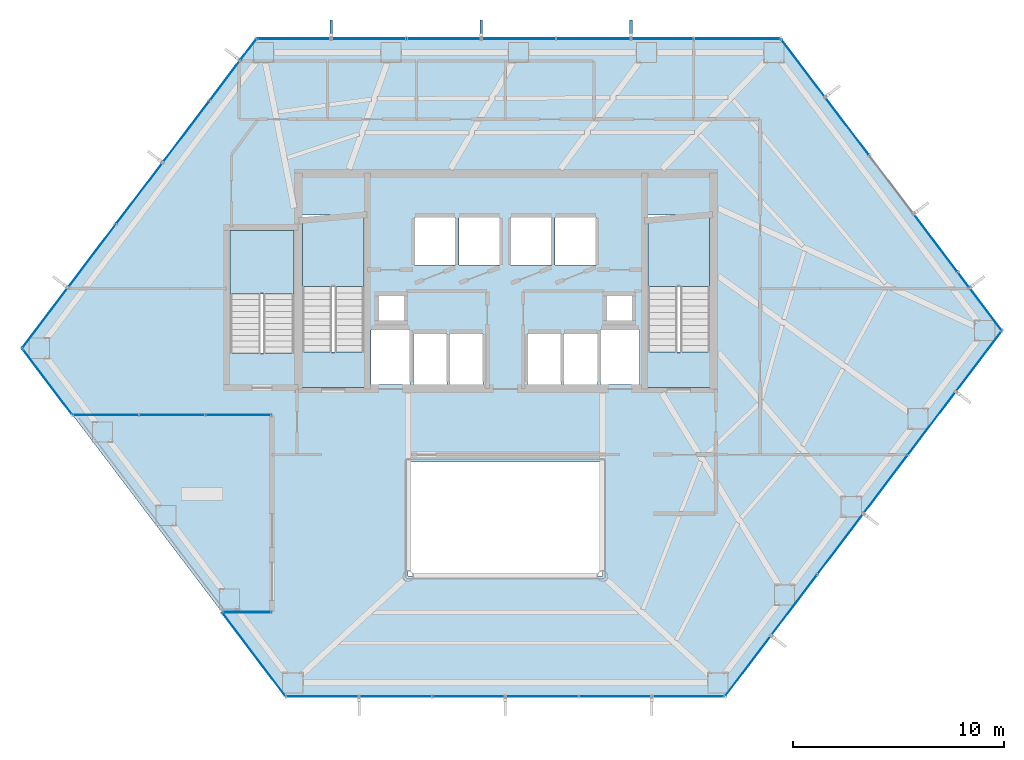
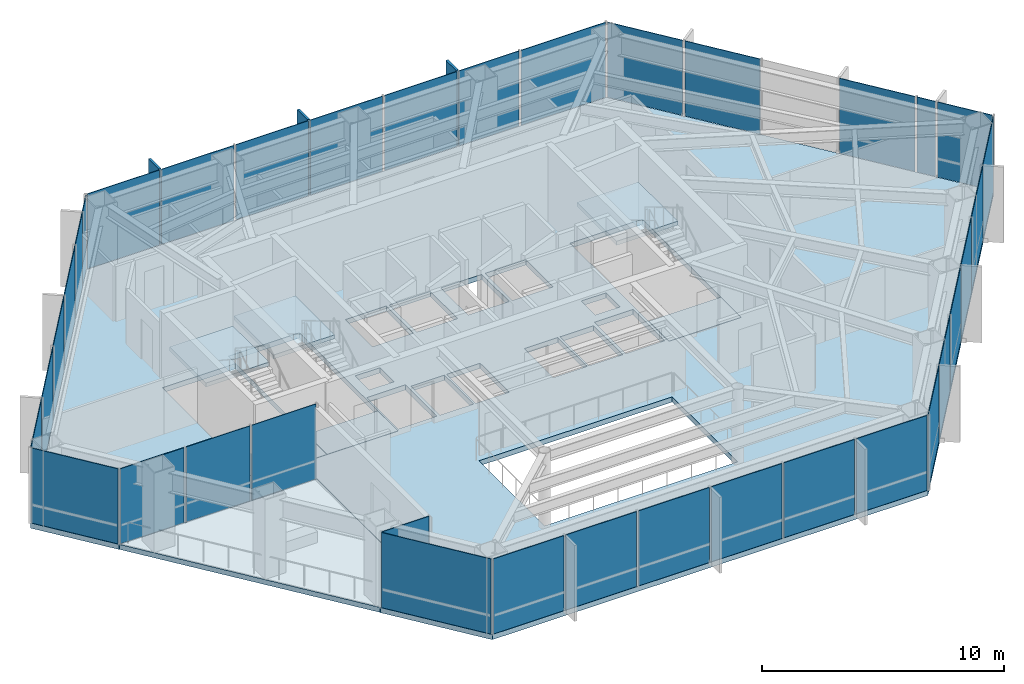
# One storey, part 19 of 24: 36 plates, 8 slabs, 3 members, 12 elements without a shape of their own.
"""IFC4 building model written with IfcOpenShell, lengths in metres."""

from ifc_helpers import new_model, si_unit, direction, frame, origin, origin_2d, place, context, subcontext, project, spatial, polyline, rectangle, outline, extrude, material, layer, layer_set, material_profile, profile_set, type_object, element, aggregate, save


model = new_model("IFC4")

# Units and contexts
model_context = context("Model", 3, precision=1e-05, world=origin(), true_north=direction((0.0, 1.0)))
body_context = subcontext(model_context, "Body", "Model", "MODEL_VIEW")
ifc_project = project(units=[si_unit("LENGTHUNIT", "METRE"), si_unit("AREAUNIT", "SQUARE_METRE"), si_unit("VOLUMEUNIT", "CUBIC_METRE"), si_unit("PLANEANGLEUNIT", "RADIAN"), si_unit("MASSUNIT", "GRAM", prefix="KILO")], contexts=[model_context])

# Site, building, storey
site_placement = place(None, origin())
site = spatial("IfcSite", under=ifc_project, at=site_placement, CompositionType="ELEMENT")
building_placement = place(site_placement, origin())
building = spatial("IfcBuilding", under=site, at=building_placement, Name="Zarrinselat Tower", CompositionType="ELEMENT")
storey_placement = place(building_placement, frame((0.0, 0.0, 64.260009765625)))
storey = spatial("IfcBuildingStorey", under=building, at=storey_placement, Name="L15", CompositionType="ELEMENT", Elevation=64.260009765625)

# Curtain wall, members
ifc_material_1 = material(Name="Extruded Aluminium Alloy EN AW-6063 T6", Category="aluminium")
ifc_layer_1 = layer(ifc_material_1, 0.18505859375)
ifc_layer_set_1 = layer_set([ifc_layer_1], Name="Extruded Aluminium Alloy EN AW-6063 T6")
curtain_wall_type_1 = type_object("IfcCurtainWallType", Name="CWS-OFF", PredefinedType="NOTDEFINED", material=ifc_layer_set_1)
curtain_wall_1_placement = place(storey_placement, origin())
curtain_wall_1 = element("IfcCurtainWall", 1, at=curtain_wall_1_placement, inside=storey, type_object=curtain_wall_type_1, Name="L15 Unitised Curtain Wall CW-L15-E02", PredefinedType="NOTDEFINED")
ifc_material_2 = material(Name="Honed Cream Travertine Stone", Category="masonry")
ifc_material_profile = material_profile(ifc_material_2, rectangle(XDim=0.1201171875, YDim=0.85009765625, at=origin_2d()), Name="FIN 850x120")
ifc_profile_set = profile_set([ifc_material_profile], Name="Honed Cream Travertine Stone")
member_type = type_object("IfcMemberType", Name="MEM-STONE-FIN", PredefinedType="USERDEFINED", material=ifc_profile_set)
member_1_placement = place(storey_placement, frame((30.177978515625, 50.27099609375, 0.0), z_axis=(0.0, 0.0, 1.0), x_axis=(1.0, 0.0, 0.0)))
member_1 = element("IfcMember", 2, at=member_1_placement, type_object=member_type, Name="L15 Stone Shading Fin CW-L15-E02-01", ObjectType="FIN", PredefinedType="USERDEFINED", context=body_context, shape_type="SweptSolid", body=[
    extrude(rectangle(XDim=0.1201171875, YDim=0.85009765625, at=origin_2d()), origin(), (0.0, 0.0, 1.0), 3.820068359375),
])
member_2_placement = place(storey_placement, frame((37.260498046875, 50.27099609375, 0.0), z_axis=(0.0, 0.0, 1.0), x_axis=(1.0, 0.0, 0.0)))
member_2 = element("IfcMember", 3, at=member_2_placement, type_object=member_type, Name="L15 Stone Shading Fin CW-L15-E02-03", ObjectType="FIN", PredefinedType="USERDEFINED", context=body_context, shape_type="SweptSolid", body=[
    extrude(rectangle(XDim=0.1201171875, YDim=0.85009765625, at=origin_2d()), origin(), (0.0, 0.0, 1.0), 3.820068359375),
])
member_3_placement = place(storey_placement, frame((44.34326171875, 50.27099609375, 0.0), z_axis=(0.0, 0.0, 1.0), x_axis=(1.0, 0.0, 0.0)))
member_3 = element("IfcMember", 4, at=member_3_placement, type_object=member_type, Name="L15 Stone Shading Fin CW-L15-E02-05", ObjectType="FIN", PredefinedType="USERDEFINED", context=body_context, shape_type="SweptSolid", body=[
    extrude(rectangle(XDim=0.1201171875, YDim=0.85009765625, at=origin_2d()), origin(), (0.0, 0.0, 1.0), 3.820068359375),
])

# Curtain wall, plates
curtain_wall_2_placement = place(storey_placement, origin())
curtain_wall_2 = element("IfcCurtainWall", 5, at=curtain_wall_2_placement, inside=storey, type_object=curtain_wall_type_1, Name="L15 Unitised Curtain Wall CW-L15-E01", PredefinedType="NOTDEFINED")
ifc_material_3 = material(Name="Double Low-E Laminated Solar Glass", Category="glass")
ifc_layer_2 = layer(ifc_material_3, 0.031982421875)
ifc_layer_set_2 = layer_set([ifc_layer_2], Name="Double Low-E Laminated Solar Glass")
plate_type = type_object("IfcPlateType", Name="PLT-CW-GL32", PredefinedType="CURTAIN_PANEL", material=ifc_layer_set_2)
plate_1_placement = place(storey_placement, frame((16.63232421875, 36.605712890625, 0.02001953125), z_axis=(0.0, 0.0, 1.0), x_axis=(0.603856639456, 0.797092942501, 0.0)))
plate_1 = element("IfcPlate", 6, at=plate_1_placement, type_object=plate_type, Name="CW-L15-E01 Vision Glass Panel 1", PredefinedType="CURTAIN_PANEL", context=body_context, shape_type="SweptSolid", body=[
    extrude(rectangle(XDim=3.48974609375, YDim=0.031982421875, at=origin_2d()), origin(), (0.0, 0.0, 1.0), 3.780029296875),
])
plate_2_placement = place(storey_placement, frame((18.85009765625, 39.53271484375, 0.02001953125), z_axis=(0.0, 0.0, 1.0), x_axis=(0.603856639456, 0.797092942501, 0.0)))
plate_2 = element("IfcPlate", 7, at=plate_2_placement, type_object=plate_type, Name="CW-L15-E01 Vision Glass Panel 2", PredefinedType="CURTAIN_PANEL", context=body_context, shape_type="SweptSolid", body=[
    extrude(rectangle(XDim=3.655029296875, YDim=0.031982421875, at=origin_2d()), origin(), (0.0, 0.0, 1.0), 3.780029296875),
])
plate_3_placement = place(storey_placement, frame((21.092529296875, 42.492919921875, 0.02001953125), z_axis=(0.0, 0.0, 1.0), x_axis=(0.603856639456, 0.797092942501, 0.0)))
plate_3 = element("IfcPlate", 8, at=plate_3_placement, type_object=plate_type, Name="CW-L15-E01 Vision Glass Panel 3", PredefinedType="CURTAIN_PANEL", context=body_context, shape_type="SweptSolid", body=[
    extrude(rectangle(XDim=3.572509765625, YDim=0.031982421875, at=origin_2d()), origin(), (0.0, 0.0, 1.0), 3.780029296875),
])
plate_4_placement = place(storey_placement, frame((23.310302734375, 45.420166015625, 0.02001953125), z_axis=(0.0, 0.0, 1.0), x_axis=(0.603856639456, 0.797092942501, 0.0)))
plate_4 = element("IfcPlate", 9, at=plate_4_placement, type_object=plate_type, Name="CW-L15-E01 Vision Glass Panel 4", PredefinedType="CURTAIN_PANEL", context=body_context, shape_type="SweptSolid", body=[
    extrude(rectangle(XDim=3.572509765625, YDim=0.031982421875, at=origin_2d()), origin(), (0.0, 0.0, 1.0), 3.780029296875),
])
plate_5_placement = place(storey_placement, frame((25.1396484375, 47.8349609375, 0.02001953125), z_axis=(0.0, 0.0, 1.0), x_axis=(0.603856639456, 0.797092942501, 0.0)))
plate_5 = element("IfcPlate", 10, at=plate_5_placement, type_object=plate_type, Name="CW-L15-E01 Vision Glass Panel 5", PredefinedType="CURTAIN_PANEL", context=body_context, shape_type="SweptSolid", body=[
    extrude(rectangle(XDim=2.28662109375, YDim=0.031982421875, at=origin_2d()), origin(), (0.0, 0.0, 1.0), 3.780029296875),
])
plate_6_placement = place(storey_placement, frame((26.248291015625, 49.298583984375, 0.02001953125), z_axis=(0.0, 0.0, 1.0), x_axis=(0.603856639456, 0.797092942501, 0.0)))
plate_6 = element("IfcPlate", 11, at=plate_6_placement, type_object=plate_type, Name="CW-L15-E01 Vision Glass Panel 6", PredefinedType="CURTAIN_PANEL", context=body_context, shape_type="SweptSolid", body=[
    extrude(rectangle(XDim=1.185791015625, YDim=0.031982421875, at=origin_2d()), origin(), (0.0, 0.0, 1.0), 3.780029296875),
])
aggregate(curtain_wall_2, [plate_1, plate_2, plate_3, plate_4, plate_5, plate_6])

# Plate
plate_7_placement = place(storey_placement, frame((28.4072265625, 49.81103515625, 0.02001953125), z_axis=(0.0, 0.0, 1.0), x_axis=(1.0, 0.0, 0.0)))
plate_7 = element("IfcPlate", 12, at=plate_7_placement, type_object=plate_type, Name="CW-L15-E02 Vision Glass Panel 1", PredefinedType="CURTAIN_PANEL", context=body_context, shape_type="SweptSolid", body=[
    extrude(rectangle(XDim=3.44140625, YDim=0.031982421875, at=origin_2d()), origin(), (0.0, 0.0, 1.0), 3.780029296875),
])

plate_8_placement = place(storey_placement, frame((31.948486328125, 49.81103515625, 0.02001953125), z_axis=(0.0, 0.0, 1.0), x_axis=(1.0, 0.0, 0.0)))
plate_8 = element("IfcPlate", 13, at=plate_8_placement, type_object=plate_type, Name="CW-L15-E02 Vision Glass Panel 2", PredefinedType="CURTAIN_PANEL", context=body_context, shape_type="SweptSolid", body=[
    extrude(rectangle(XDim=3.44140625, YDim=0.031982421875, at=origin_2d()), origin(), (0.0, 0.0, 1.0), 3.780029296875),
])

plate_9_placement = place(storey_placement, frame((35.489990234375, 49.81103515625, 0.02001953125), z_axis=(0.0, 0.0, 1.0), x_axis=(1.0, 0.0, 0.0)))
plate_9 = element("IfcPlate", 14, at=plate_9_placement, type_object=plate_type, Name="CW-L15-E02 Vision Glass Panel 3", PredefinedType="CURTAIN_PANEL", context=body_context, shape_type="SweptSolid", body=[
    extrude(rectangle(XDim=3.44140625, YDim=0.031982421875, at=origin_2d()), origin(), (0.0, 0.0, 1.0), 3.780029296875),
])

plate_10_placement = place(storey_placement, frame((39.03125, 49.81103515625, 0.02001953125), z_axis=(0.0, 0.0, 1.0), x_axis=(1.0, 0.0, 0.0)))
plate_10 = element("IfcPlate", 15, at=plate_10_placement, type_object=plate_type, Name="CW-L15-E02 Vision Glass Panel 4", PredefinedType="CURTAIN_PANEL", context=body_context, shape_type="SweptSolid", body=[
    extrude(rectangle(XDim=3.44140625, YDim=0.031982421875, at=origin_2d()), origin(), (0.0, 0.0, 1.0), 3.780029296875),
])

plate_11_placement = place(storey_placement, frame((42.572509765625, 49.81103515625, 0.02001953125), z_axis=(0.0, 0.0, 1.0), x_axis=(1.0, 0.0, 0.0)))
plate_11 = element("IfcPlate", 16, at=plate_11_placement, type_object=plate_type, Name="CW-L15-E02 Vision Glass Panel 5", PredefinedType="CURTAIN_PANEL", context=body_context, shape_type="SweptSolid", body=[
    extrude(rectangle(XDim=3.44140625, YDim=0.031982421875, at=origin_2d()), origin(), (0.0, 0.0, 1.0), 3.780029296875),
])

plate_12_placement = place(storey_placement, frame((45.821533203125, 49.81103515625, 0.02001953125), z_axis=(0.0, 0.0, 1.0), x_axis=(1.0, 0.0, 0.0)))
plate_12 = element("IfcPlate", 17, at=plate_12_placement, type_object=plate_type, Name="CW-L15-E02 Vision Glass Panel 6", PredefinedType="CURTAIN_PANEL", context=body_context, shape_type="SweptSolid", body=[
    extrude(rectangle(XDim=2.856689453125, YDim=0.031982421875, at=origin_2d()), origin(), (0.0, 0.0, 1.0), 3.780029296875),
])

plate_13_placement = place(storey_placement, frame((49.36279296875, 49.81103515625, 0.02001953125), z_axis=(0.0, 0.0, 1.0), x_axis=(1.0, 0.0, 0.0)))
plate_13 = element("IfcPlate", 18, at=plate_13_placement, type_object=plate_type, Name="CW-L15-E02 Vision Glass Panel 7", PredefinedType="CURTAIN_PANEL", context=body_context, shape_type="SweptSolid", body=[
    extrude(rectangle(XDim=4.02587890625, YDim=0.031982421875, at=origin_2d()), origin(), (0.0, 0.0, 1.0), 3.780029296875),
])

aggregate(curtain_wall_1, [member_1, member_2, member_3, plate_7, plate_8, plate_9, plate_10, plate_11, plate_12, plate_13])

# Curtain wall, plates
curtain_wall_3_placement = place(storey_placement, origin())
curtain_wall_3 = element("IfcCurtainWall", 19, at=curtain_wall_3_placement, inside=storey, type_object=curtain_wall_type_1, Name="L15 Unitised Curtain Wall CW-L15-E03", PredefinedType="NOTDEFINED")
plate_14_placement = place(storey_placement, frame((52.4716796875, 48.430908203125, 0.02001953125), z_axis=(0.0, 0.0, 1.0), x_axis=(0.603859800485, -0.797090547779, 0.0)))
plate_14 = element("IfcPlate", 20, at=plate_14_placement, type_object=plate_type, Name="CW-L15-E03 Vision Glass Panel 1", PredefinedType="CURTAIN_PANEL", context=body_context, shape_type="SweptSolid", body=[
    extrude(rectangle(XDim=3.36328125, YDim=0.031982421875, at=origin_2d()), origin(), (0.0, 0.0, 1.0), 3.780029296875),
])
plate_15_placement = place(storey_placement, frame((54.56298828125, 45.670166015625, 0.02001953125), z_axis=(0.0, 0.0, 1.0), x_axis=(0.603859800485, -0.797090547779, 0.0)))
plate_15 = element("IfcPlate", 21, at=plate_15_placement, type_object=plate_type, Name="CW-L15-E03 Vision Glass Panel 2", PredefinedType="CURTAIN_PANEL", context=body_context, shape_type="SweptSolid", body=[
    extrude(rectangle(XDim=3.36328125, YDim=0.031982421875, at=origin_2d()), origin(), (0.0, 0.0, 1.0), 3.780029296875),
])
plate_16_placement = place(storey_placement, frame((58.74560546875, 40.149169921875, 0.02001953125), z_axis=(0.0, 0.0, 1.0), x_axis=(0.603859800485, -0.797090547779, 0.0)))
plate_16 = element("IfcPlate", 22, at=plate_16_placement, type_object=plate_type, Name="CW-L15-E03 Vision Glass Panel 4", PredefinedType="CURTAIN_PANEL", context=body_context, shape_type="SweptSolid", body=[
    extrude(rectangle(XDim=3.36328125, YDim=0.031982421875, at=origin_2d()), origin(), (0.0, 0.0, 1.0), 3.780029296875),
])
plate_17_placement = place(storey_placement, frame((60.06884765625, 38.402587890625, 0.02001953125), z_axis=(0.0, 0.0, 1.0), x_axis=(0.603859800485, -0.797090547779, 0.0)))
plate_17 = element("IfcPlate", 23, at=plate_17_placement, type_object=plate_type, Name="CW-L15-E03 Vision Glass Panel 5", PredefinedType="CURTAIN_PANEL", context=body_context, shape_type="SweptSolid", body=[
    extrude(rectangle(XDim=0.819091796875, YDim=0.031982421875, at=origin_2d()), origin(), (0.0, 0.0, 1.0), 3.780029296875),
])
plate_18_placement = place(storey_placement, frame((61.114501953125, 37.022216796875, 0.02001953125), z_axis=(0.0, 0.0, 1.0), x_axis=(0.603859800485, -0.797090547779, 0.0)))
plate_18 = element("IfcPlate", 24, at=plate_18_placement, type_object=plate_type, Name="CW-L15-E03 Vision Glass Panel 6", PredefinedType="CURTAIN_PANEL", context=body_context, shape_type="SweptSolid", body=[
    extrude(rectangle(XDim=2.4443359375, YDim=0.031982421875, at=origin_2d()), origin(), (0.0, 0.0, 1.0), 3.780029296875),
])
aggregate(curtain_wall_3, [plate_14, plate_15, plate_16, plate_17, plate_18])

curtain_wall_4_placement = place(storey_placement, origin())
curtain_wall_4 = element("IfcCurtainWall", 25, at=curtain_wall_4_placement, inside=storey, type_object=curtain_wall_type_1, Name="L15 Unitised Curtain Wall CW-L15-E04", PredefinedType="NOTDEFINED")
plate_19_placement = place(storey_placement, frame((60.790283203125, 34.56640625, 0.02001953125), z_axis=(0.0, 0.0, 1.0), x_axis=(-0.603859195889, -0.797091005808, 0.0)))
plate_19 = element("IfcPlate", 26, at=plate_19_placement, type_object=plate_type, Name="CW-L15-E04 Vision Glass Panel 1", PredefinedType="CURTAIN_PANEL", context=body_context, shape_type="SweptSolid", body=[
    extrude(rectangle(XDim=3.517578125, YDim=0.031982421875, at=origin_2d()), origin(), (0.0, 0.0, 1.0), 3.780029296875),
])
plate_20_placement = place(storey_placement, frame((58.5576171875, 31.619140625, 0.02001953125), z_axis=(0.0, 0.0, 1.0), x_axis=(-0.603859195889, -0.797091005808, 0.0)))
plate_20 = element("IfcPlate", 27, at=plate_20_placement, type_object=plate_type, Name="CW-L15-E04 Vision Glass Panel 2", PredefinedType="CURTAIN_PANEL", context=body_context, shape_type="SweptSolid", body=[
    extrude(rectangle(XDim=3.67724609375, YDim=0.031982421875, at=origin_2d()), origin(), (0.0, 0.0, 1.0), 3.780029296875),
])
plate_21_placement = place(storey_placement, frame((56.373046875, 28.735595703125, 0.02001953125), z_axis=(0.0, 0.0, 1.0), x_axis=(-0.603859195889, -0.797091005808, 0.0)))
plate_21 = element("IfcPlate", 28, at=plate_21_placement, type_object=plate_type, Name="CW-L15-E04 Vision Glass Panel 3", PredefinedType="CURTAIN_PANEL", context=body_context, shape_type="SweptSolid", body=[
    extrude(rectangle(XDim=3.358154296875, YDim=0.031982421875, at=origin_2d()), origin(), (0.0, 0.0, 1.0), 3.780029296875),
])
plate_22_placement = place(storey_placement, frame((54.23681640625, 25.91552734375, 0.02001953125), z_axis=(0.0, 0.0, 1.0), x_axis=(-0.603859195889, -0.797091005808, 0.0)))
plate_22 = element("IfcPlate", 29, at=plate_22_placement, type_object=plate_type, Name="CW-L15-E04 Vision Glass Panel 4", PredefinedType="CURTAIN_PANEL", context=body_context, shape_type="SweptSolid", body=[
    extrude(rectangle(XDim=3.517578125, YDim=0.031982421875, at=origin_2d()), origin(), (0.0, 0.0, 1.0), 3.780029296875),
])
plate_23_placement = place(storey_placement, frame((52.052001953125, 23.031982421875, 0.02001953125), z_axis=(0.0, 0.0, 1.0), x_axis=(-0.603859195889, -0.797091005808, 0.0)))
plate_23 = element("IfcPlate", 30, at=plate_23_placement, type_object=plate_type, Name="CW-L15-E04 Vision Glass Panel 5", PredefinedType="CURTAIN_PANEL", context=body_context, shape_type="SweptSolid", body=[
    extrude(rectangle(XDim=3.517578125, YDim=0.031982421875, at=origin_2d()), origin(), (0.0, 0.0, 1.0), 3.780029296875),
])
plate_24_placement = place(storey_placement, frame((49.86767578125, 20.148193359375, 0.02001953125), z_axis=(0.0, 0.0, 1.0), x_axis=(-0.603859195889, -0.797091005808, 0.0)))
plate_24 = element("IfcPlate", 31, at=plate_24_placement, type_object=plate_type, Name="CW-L15-E04 Vision Glass Panel 6", PredefinedType="CURTAIN_PANEL", context=body_context, shape_type="SweptSolid", body=[
    extrude(rectangle(XDim=3.517578125, YDim=0.031982421875, at=origin_2d()), origin(), (0.0, 0.0, 1.0), 3.780029296875),
])
aggregate(curtain_wall_4, [plate_19, plate_20, plate_21, plate_22, plate_23, plate_24])

curtain_wall_5_placement = place(storey_placement, origin())
curtain_wall_5 = element("IfcCurtainWall", 32, at=curtain_wall_5_placement, inside=storey, type_object=curtain_wall_type_1, Name="L15 Unitised Curtain Wall CW-L15-E05", PredefinedType="NOTDEFINED")
plate_25_placement = place(storey_placement, frame((47.046142578125, 18.70654296875, 0.02001953125), z_axis=(0.0, 0.0, 1.0), x_axis=(-1.0, 0.0, 0.0)))
plate_25 = element("IfcPlate", 33, at=plate_25_placement, type_object=plate_type, Name="CW-L15-E05 Vision Glass Panel 1", PredefinedType="CURTAIN_PANEL", context=body_context, shape_type="SweptSolid", body=[
    extrude(rectangle(XDim=3.3583984375, YDim=0.031982421875, at=origin_2d()), origin(), (0.0, 0.0, 1.0), 3.780029296875),
])
plate_26_placement = place(storey_placement, frame((43.587646484375, 18.70654296875, 0.02001953125), z_axis=(0.0, 0.0, 1.0), x_axis=(-1.0, 0.0, 0.0)))
plate_26 = element("IfcPlate", 34, at=plate_26_placement, type_object=plate_type, Name="CW-L15-E05 Vision Glass Panel 2", PredefinedType="CURTAIN_PANEL", context=body_context, shape_type="SweptSolid", body=[
    extrude(rectangle(XDim=3.3583984375, YDim=0.031982421875, at=origin_2d()), origin(), (0.0, 0.0, 1.0), 3.780029296875),
])
plate_27_placement = place(storey_placement, frame((40.129150390625, 18.70654296875, 0.02001953125), z_axis=(0.0, 0.0, 1.0), x_axis=(-1.0, 0.0, 0.0)))
plate_27 = element("IfcPlate", 35, at=plate_27_placement, type_object=plate_type, Name="CW-L15-E05 Vision Glass Panel 3", PredefinedType="CURTAIN_PANEL", context=body_context, shape_type="SweptSolid", body=[
    extrude(rectangle(XDim=3.3583984375, YDim=0.031982421875, at=origin_2d()), origin(), (0.0, 0.0, 1.0), 3.780029296875),
])
plate_28_placement = place(storey_placement, frame((36.6708984375, 18.70654296875, 0.02001953125), z_axis=(0.0, 0.0, 1.0), x_axis=(-1.0, 0.0, 0.0)))
plate_28 = element("IfcPlate", 36, at=plate_28_placement, type_object=plate_type, Name="CW-L15-E05 Vision Glass Panel 4", PredefinedType="CURTAIN_PANEL", context=body_context, shape_type="SweptSolid", body=[
    extrude(rectangle(XDim=3.3583984375, YDim=0.031982421875, at=origin_2d()), origin(), (0.0, 0.0, 1.0), 3.780029296875),
])
plate_29_placement = place(storey_placement, frame((33.21240234375, 18.70654296875, 0.02001953125), z_axis=(0.0, 0.0, 1.0), x_axis=(-1.0, 0.0, 0.0)))
plate_29 = element("IfcPlate", 37, at=plate_29_placement, type_object=plate_type, Name="CW-L15-E05 Vision Glass Panel 5", PredefinedType="CURTAIN_PANEL", context=body_context, shape_type="SweptSolid", body=[
    extrude(rectangle(XDim=3.3583984375, YDim=0.031982421875, at=origin_2d()), origin(), (0.0, 0.0, 1.0), 3.780029296875),
])
plate_30_placement = place(storey_placement, frame((29.75390625, 18.70654296875, 0.02001953125), z_axis=(0.0, 0.0, 1.0), x_axis=(-1.0, 0.0, 0.0)))
plate_30 = element("IfcPlate", 38, at=plate_30_placement, type_object=plate_type, Name="CW-L15-E05 Vision Glass Panel 6", PredefinedType="CURTAIN_PANEL", context=body_context, shape_type="SweptSolid", body=[
    extrude(rectangle(XDim=3.3583984375, YDim=0.031982421875, at=origin_2d()), origin(), (0.0, 0.0, 1.0), 3.780029296875),
])
aggregate(curtain_wall_5, [plate_25, plate_26, plate_27, plate_28, plate_29, plate_30])

# Curtain wall, plate
curtain_wall_6_placement = place(storey_placement, origin())
curtain_wall_6 = element("IfcCurtainWall", 39, at=curtain_wall_6_placement, inside=storey, type_object=curtain_wall_type_1, Name="L15 Unitised Curtain Wall CW-L15-E06", PredefinedType="NOTDEFINED")
plate_31_placement = place(storey_placement, frame((26.51513671875, 20.698974609375, 0.02001953125), z_axis=(0.0, 0.0, 1.0), x_axis=(-0.603858899441, 0.797091230391, 0.0)))
plate_31 = element("IfcPlate", 40, at=plate_31_placement, type_object=plate_type, Name="CW-L15-E06 Vision Glass Panel 1", PredefinedType="CURTAIN_PANEL", context=body_context, shape_type="SweptSolid", body=[
    extrude(rectangle(XDim=4.8994140625, YDim=0.031982421875, at=origin_2d()), origin(), (0.0, 0.0, 1.0), 3.780029296875),
])
aggregate(curtain_wall_6, [plate_31])

ifc_material_4 = material(Name="Extruded Aluminium Alloy EN AW-6063 T6", Category="aluminium")
ifc_layer_3 = layer(ifc_material_4, 0.18994140625)
ifc_layer_set_3 = layer_set([ifc_layer_3], Name="Extruded Aluminium Alloy EN AW-6063 T6")
curtain_wall_type_2 = type_object("IfcCurtainWallType", Name="CWS-SG", PredefinedType="NOTDEFINED", material=ifc_layer_set_3)
curtain_wall_7_placement = place(storey_placement, origin())
curtain_wall_7 = element("IfcCurtainWall", 41, at=curtain_wall_7_placement, inside=storey, type_object=curtain_wall_type_2, Name="L15 Unitised Curtain Wall CW-L15-E07", PredefinedType="NOTDEFINED")
plate_32_placement = place(storey_placement, frame((26.17724609375, 22.69140625, 0.02001953125), z_axis=(0.0, 0.0, 1.0), x_axis=(1.0, 0.0, 0.0)))
plate_32 = element("IfcPlate", 42, at=plate_32_placement, type_object=plate_type, Name="CW-L15-E07 Vision Glass Panel 1", PredefinedType="CURTAIN_PANEL", context=body_context, shape_type="SweptSolid", body=[
    extrude(rectangle(XDim=2.242919921875, YDim=0.031982421875, at=origin_2d()), origin(), (0.0, 0.0, 1.0), 3.780029296875),
])
aggregate(curtain_wall_7, [plate_32])

# Curtain wall, plates
curtain_wall_8_placement = place(storey_placement, origin())
curtain_wall_8 = element("IfcCurtainWall", 43, at=curtain_wall_8_placement, inside=storey, type_object=curtain_wall_type_2, Name="L15 Unitised Curtain Wall CW-L15-E41", PredefinedType="NOTDEFINED")
plate_33_placement = place(storey_placement, frame((25.781005859375, 32.014892578125, 0.02001953125), z_axis=(0.0, 0.0, 1.0), x_axis=(-1.0, 0.0, 0.0)))
plate_33 = element("IfcPlate", 44, at=plate_33_placement, type_object=plate_type, Name="CW-L15-E41 Vision Glass Panel 1", PredefinedType="CURTAIN_PANEL", context=body_context, shape_type="SweptSolid", body=[
    extrude(rectangle(XDim=3.035400390625, YDim=0.031982421875, at=origin_2d()), origin(), (0.0, 0.0, 1.0), 3.780029296875),
])
plate_34_placement = place(storey_placement, frame((22.6455078125, 32.014892578125, 0.02001953125), z_axis=(0.0, 0.0, 1.0), x_axis=(-1.0, 0.0, 0.0)))
plate_34 = element("IfcPlate", 45, at=plate_34_placement, type_object=plate_type, Name="CW-L15-E41 Vision Glass Panel 2", PredefinedType="CURTAIN_PANEL", context=body_context, shape_type="SweptSolid", body=[
    extrude(rectangle(XDim=3.035400390625, YDim=0.031982421875, at=origin_2d()), origin(), (0.0, 0.0, 1.0), 3.780029296875),
])
plate_35_placement = place(storey_placement, frame((19.51025390625, 32.014892578125, 0.02001953125), z_axis=(0.0, 0.0, 1.0), x_axis=(-1.0, 0.0, 0.0)))
plate_35 = element("IfcPlate", 46, at=plate_35_placement, type_object=plate_type, Name="CW-L15-E41 Vision Glass Panel 3", PredefinedType="CURTAIN_PANEL", context=body_context, shape_type="SweptSolid", body=[
    extrude(rectangle(XDim=3.035400390625, YDim=0.031982421875, at=origin_2d()), origin(), (0.0, 0.0, 1.0), 3.780029296875),
])
aggregate(curtain_wall_8, [plate_33, plate_34, plate_35])

# Curtain wall, plate
curtain_wall_9_placement = place(storey_placement, origin())
curtain_wall_9 = element("IfcCurtainWall", 47, at=curtain_wall_9_placement, inside=storey, type_object=curtain_wall_type_1, Name="L15 Unitised Curtain Wall CW-L15-E42", PredefinedType="NOTDEFINED")
plate_36_placement = place(storey_placement, frame((16.74560546875, 33.594970703125, 0.02001953125), z_axis=(0.0, 0.0, 1.0), x_axis=(-0.603858899441, 0.797091230391, 0.0)))
plate_36 = element("IfcPlate", 48, at=plate_36_placement, type_object=plate_type, Name="CW-L15-E42 Vision Glass Panel 1", PredefinedType="CURTAIN_PANEL", context=body_context, shape_type="SweptSolid", body=[
    extrude(rectangle(XDim=3.8642578125, YDim=0.031982421875, at=origin_2d()), origin(), (0.0, 0.0, 1.0), 3.780029296875),
])
aggregate(curtain_wall_9, [plate_36])

# Slabs
ifc_material_5 = material(Name="Concrete C40/50", Category="concrete")
ifc_layer_4 = layer(ifc_material_5, 0.260009765625)
ifc_layer_set_4 = layer_set([ifc_layer_4], Name="Concrete C40/50")
slab_type_1 = type_object("IfcSlabType", Name="SLB-FLOOR-260-SL-OF260", PredefinedType="FLOOR", material=ifc_layer_set_4)
slab_1_placement = place(storey_placement, frame((0.0, 0.0, -0.260009765625)))
element("IfcSlab", 49, at=slab_1_placement, inside=storey, type_object=slab_type_1, Name="L15 Primary Structural Slab", PredefinedType="FLOOR", context=body_context, shape_type="SweptSolid", body=[
    extrude(outline(polyline([(15.548583984375, 35.1748046875), (26.63671875, 49.81103515625), (51.42578125, 49.81103515625), (61.8828125, 36.00830078125), (48.775390625, 18.70654296875), (28.024658203125, 18.70654296875), (25.005859375, 22.69140625), (27.3486328125, 22.69140625), (27.35009765625, 22.691650390625), (27.3515625, 22.69189453125), (27.35302734375, 22.692138671875), (27.354248046875, 22.692626953125), (27.355712890625, 22.693359375), (27.35693359375, 22.694091796875), (27.358154296875, 22.69482421875), (27.359130859375, 22.69580078125), (27.360107421875, 22.697021484375), (27.361083984375, 22.6982421875), (27.36181640625, 22.699462890625), (27.362548828125, 22.70068359375), (27.363037109375, 22.7021484375), (27.36328125, 22.70361328125), (27.363525390625, 22.705078125), (27.363525390625, 22.70654296875), (27.363525390625, 32.0), (27.363525390625, 32.00146484375), (27.36328125, 32.0029296875), (27.363037109375, 32.00439453125), (27.362548828125, 32.005615234375), (27.36181640625, 32.007080078125), (27.361083984375, 32.00830078125), (27.360107421875, 32.009521484375), (27.359130859375, 32.010498046875), (27.358154296875, 32.01171875), (27.35693359375, 32.012451171875), (27.355712890625, 32.01318359375), (27.354248046875, 32.013916015625), (27.35302734375, 32.014404296875), (27.3515625, 32.0146484375), (27.35009765625, 32.014892578125), (27.3486328125, 32.014892578125), (17.9423828125, 32.014892578125), (15.548583984375, 35.1748046875)]), holes=[polyline([(34.050048828125, 33.449951171875), (34.050048828125, 35.85009765625), (35.64990234375, 35.85009765625), (35.64990234375, 33.449951171875), (34.050048828125, 33.449951171875)]), polyline([(35.75, 33.449951171875), (35.75, 35.85009765625), (37.35009765625, 35.85009765625), (37.35009765625, 33.449951171875), (35.75, 33.449951171875)]), polyline([(32.06005859375, 33.449951171875), (32.06005859375, 36.050048828125), (33.89990234375, 36.050048828125), (33.89990234375, 33.449951171875), (32.06005859375, 33.449951171875)]), polyline([(32.419921875, 36.47998046875), (32.419921875, 37.639892578125), (33.60009765625, 37.639892578125), (33.60009765625, 36.47998046875), (32.419921875, 36.47998046875)]), polyline([(28.594970703125, 33.324951171875), (25.114990234375, 33.324951171875), (25.114990234375, 40.875), (28.594970703125, 40.875), (28.594970703125, 33.324951171875)]), polyline([(31.985107421875, 33.324951171875), (28.60498046875, 33.324951171875), (28.60498046875, 41.47509765625), (31.985107421875, 41.47509765625), (31.985107421875, 33.324951171875)]), polyline([(34.10009765625, 39.10009765625), (34.10009765625, 41.35009765625), (36.050048828125, 41.35009765625), (36.050048828125, 39.10009765625), (34.10009765625, 39.10009765625)]), polyline([(36.199951171875, 39.10009765625), (36.199951171875, 41.35009765625), (38.14990234375, 41.35009765625), (38.14990234375, 39.10009765625), (36.199951171875, 39.10009765625)]), polyline([(33.800048828125, 24.39990234375), (33.800048828125, 29.800048828125), (43.0, 29.800048828125), (43.0, 24.39990234375), (33.800048828125, 24.39990234375)]), polyline([(39.449951171875, 33.449951171875), (39.449951171875, 35.85009765625), (41.050048828125, 35.85009765625), (41.050048828125, 33.449951171875), (39.449951171875, 33.449951171875)]), polyline([(41.14990234375, 33.449951171875), (41.14990234375, 35.85009765625), (42.75, 35.85009765625), (42.75, 33.449951171875), (41.14990234375, 33.449951171875)]), polyline([(42.89990234375, 33.449951171875), (42.89990234375, 36.050048828125), (44.739990234375, 36.050048828125), (44.739990234375, 33.449951171875), (42.89990234375, 33.449951171875)]), polyline([(43.199951171875, 36.47998046875), (43.199951171875, 37.639892578125), (44.3798828125, 37.639892578125), (44.3798828125, 36.47998046875), (43.199951171875, 36.47998046875)]), polyline([(48.324951171875, 33.324951171875), (44.875, 33.324951171875), (44.875, 41.47509765625), (48.324951171875, 41.47509765625), (48.324951171875, 33.324951171875)]), polyline([(38.64990234375, 39.10009765625), (38.64990234375, 41.35009765625), (40.60009765625, 41.35009765625), (40.60009765625, 39.10009765625), (38.64990234375, 39.10009765625)]), polyline([(40.75, 39.10009765625), (40.75, 41.35009765625), (42.699951171875, 41.35009765625), (42.699951171875, 39.10009765625), (40.75, 39.10009765625)])]), origin(), (0.0, 0.0, 1.0), 0.260009765625),
])
slab_2_placement = place(storey_placement, frame((0.0, 0.0, -0.260009765625)))
element("IfcSlab", 50, at=slab_2_placement, inside=storey, type_object=slab_type_1, Name="L15 Stair ST-1-FL1 Structural Floor Landing", PredefinedType="FLOOR", context=body_context, shape_type="SweptSolid", body=[
    extrude(outline(polyline([(31.97998046875, 33.330078125), (31.97998046875, 35.0), (28.610107421875, 35.0), (28.610107421875, 33.330078125), (31.97998046875, 33.330078125)])), origin(), (0.0, 0.0, 1.0), 0.260009765625),
])
slab_3_placement = place(storey_placement, frame((0.0, 0.0, -0.260009765625)))
element("IfcSlab", 51, at=slab_3_placement, inside=storey, type_object=slab_type_1, Name="L15 Stair ST-2-FL1 Structural Floor Landing", PredefinedType="FLOOR", context=body_context, shape_type="SweptSolid", body=[
    extrude(outline(polyline([(48.320068359375, 33.330078125), (48.320068359375, 35.0), (44.8798828125, 35.0), (44.8798828125, 33.330078125), (48.320068359375, 33.330078125)])), origin(), (0.0, 0.0, 1.0), 0.260009765625),
])
slab_4_placement = place(storey_placement, frame((0.0, 0.0, -0.260009765625)))
element("IfcSlab", 52, at=slab_4_placement, inside=storey, type_object=slab_type_1, Name="L15 Stair ST-3-FL1 Structural Floor Landing", PredefinedType="FLOOR", context=body_context, shape_type="SweptSolid", body=[
    extrude(outline(polyline([(28.590087890625, 33.330078125), (28.590087890625, 34.949951171875), (25.1201171875, 34.949951171875), (25.1201171875, 33.330078125), (28.590087890625, 33.330078125)])), origin(), (0.0, 0.0, 1.0), 0.260009765625),
])

# Stair, slab
ifc_material_6 = material(Name="Concrete C40/50", Category="concrete")
stair_type_1 = type_object("IfcStairType", Name="STR-CORE-145", PredefinedType="HALF_TURN_STAIR", material=ifc_material_6)
stair_1_placement = place(storey_placement, origin())
stair_1 = element("IfcStair", 53, at=stair_1_placement, inside=storey, type_object=stair_type_1, Name="L15 Podium & Mid-Tower Exit Stair 3", PredefinedType="HALF_TURN_STAIR")
ifc_material_7 = material(Name="Concrete C40/50", Category="concrete")
ifc_layer_5 = layer(ifc_material_7, 0.1650390625)
ifc_layer_set_5 = layer_set([ifc_layer_5], Name="Concrete C40/50")
slab_type_2 = type_object("IfcSlabType", Name="SLB-LND-165", PredefinedType="LANDING", material=ifc_layer_set_5)
slab_5_placement = place(storey_placement, frame((0.0, 0.0, 1.840087890625)))
slab_5 = element("IfcSlab", 54, at=slab_5_placement, type_object=slab_type_2, Name="ST-3 landing 1", PredefinedType="LANDING", context=body_context, shape_type="SweptSolid", body=[
    extrude(outline(polyline([(28.39990234375, 37.75), (28.39990234375, 40.75), (25.3798828125, 40.75), (25.3798828125, 37.75), (28.39990234375, 37.75)])), origin(), (0.0, 0.0, 1.0), 0.199951171875),
])
aggregate(stair_1, [slab_5])

ifc_material_8 = material(Name="Concrete C40/50", Category="concrete")
stair_type_2 = type_object("IfcStairType", Name="STR-CORE-155", PredefinedType="HALF_TURN_STAIR", material=ifc_material_8)
stair_2_placement = place(storey_placement, origin())
stair_2 = element("IfcStair", 55, at=stair_2_placement, inside=storey, type_object=stair_type_2, Name="L15 Core Exit Stair 1", PredefinedType="HALF_TURN_STAIR")
ifc_material_9 = material(Name="Concrete C40/50", Category="concrete")
ifc_layer_6 = layer(ifc_material_9, 0.18994140625)
ifc_layer_set_6 = layer_set([ifc_layer_6], Name="Concrete C40/50")
slab_type_3 = type_object("IfcSlabType", Name="SLB-LND-190", PredefinedType="LANDING", material=ifc_layer_set_6)
slab_6_placement = place(storey_placement, frame((0.0, 0.0, 1.840087890625)))
slab_6 = element("IfcSlab", 56, at=slab_6_placement, type_object=slab_type_3, Name="ST-1 landing 1", PredefinedType="LANDING", context=body_context, shape_type="SweptSolid", body=[
    extrude(outline(polyline([(31.719970703125, 38.10009765625), (31.719970703125, 41.35009765625), (28.800048828125, 41.35009765625), (28.800048828125, 38.10009765625), (31.719970703125, 38.10009765625)])), origin(), (0.0, 0.0, 1.0), 0.199951171875),
])
aggregate(stair_2, [slab_6])

stair_3_placement = place(storey_placement, origin())
stair_3 = element("IfcStair", 57, at=stair_3_placement, inside=storey, type_object=stair_type_2, Name="L15 Core Exit Stair 2", PredefinedType="HALF_TURN_STAIR")
slab_7_placement = place(storey_placement, frame((0.0, 0.0, 1.840087890625)))
slab_7 = element("IfcSlab", 58, at=slab_7_placement, type_object=slab_type_3, Name="ST-2 landing 1", PredefinedType="LANDING", context=body_context, shape_type="SweptSolid", body=[
    extrude(outline(polyline([(48.06005859375, 38.10009765625), (48.06005859375, 41.35009765625), (45.139892578125, 41.35009765625), (45.139892578125, 38.10009765625), (48.06005859375, 38.10009765625)])), origin(), (0.0, 0.0, 1.0), 0.199951171875),
])
aggregate(stair_3, [slab_7])

# Slab
ifc_material_10 = material(Name="Concrete C40/50", Category="concrete")
ifc_layer_7 = layer(ifc_material_10, 0.25)
ifc_layer_set_7 = layer_set([ifc_layer_7], Name="Concrete C40/50")
slab_type_4 = type_object("IfcSlabType", Name="SLB-ROOF-250-SL-SG250", PredefinedType="ROOF", material=ifc_layer_set_7)
slab_8_placement = place(storey_placement, frame((0.0, 0.0, -0.25)))
element("IfcSlab", 59, at=slab_8_placement, inside=storey, type_object=slab_type_4, Name="L15 Badgir Sky Garden 1 Terrace Slab", PredefinedType="ROOF", context=body_context, shape_type="SweptSolid", body=[
    extrude(outline(polyline([(17.953857421875, 32.0), (27.3486328125, 32.0), (27.3486328125, 22.70654296875), (24.994384765625, 22.70654296875), (17.953857421875, 32.0)])), origin(), (0.0, 0.0, 1.0), 0.25),
])

save(model, "model.ifc")
